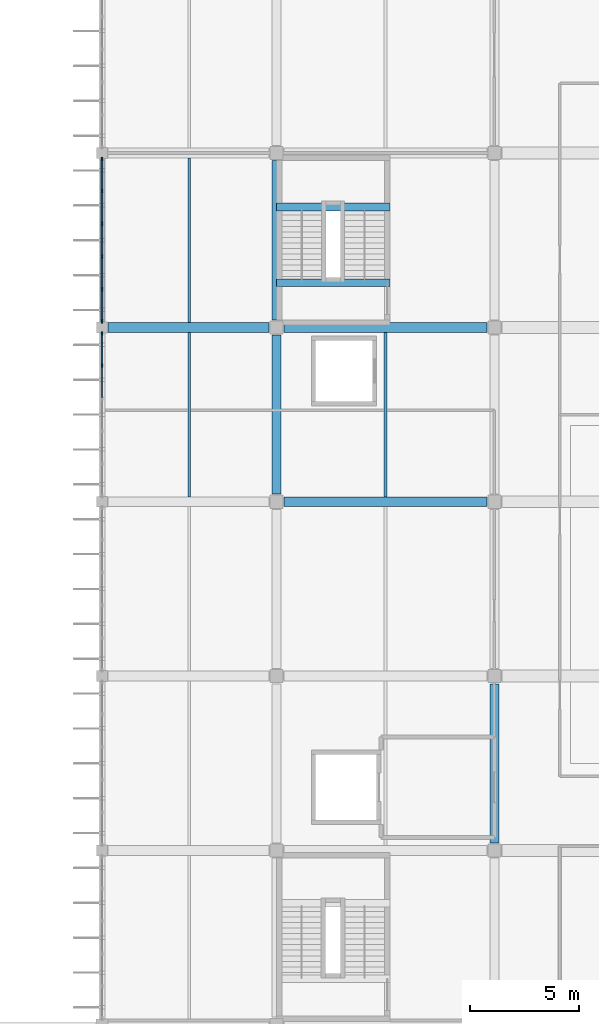
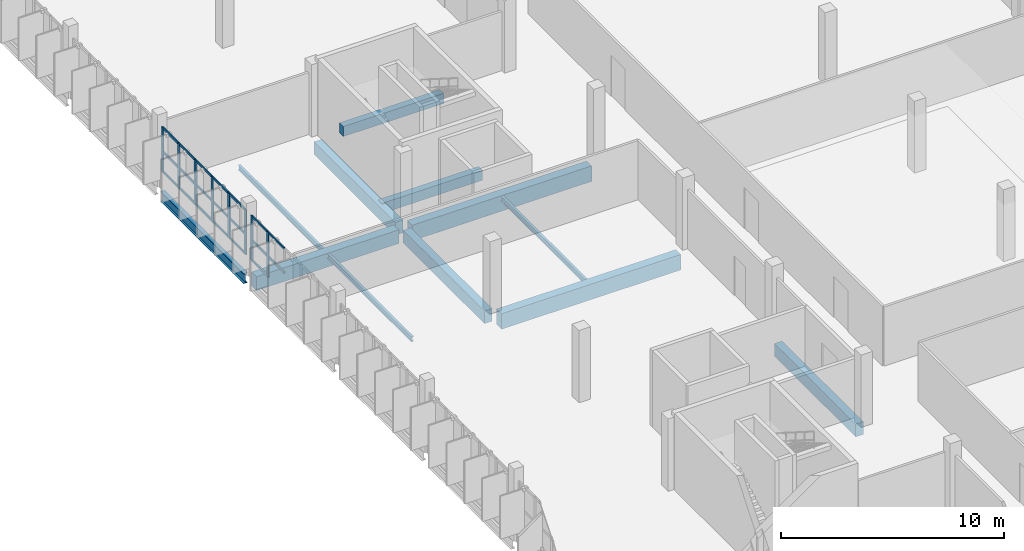
# One storey, part 30 of 66: 28 members, 12 beams, 2 elements without a shape of their own.
"""IFC4 building model written with IfcOpenShell, lengths in metres."""

from ifc_helpers import new_model, si_unit, direction, frame, origin, origin_2d, place, context, subcontext, project, spatial, rectangle, i_section, extrude, material, layer, layer_set, material_profile, profile_set, type_object, element, aggregate, save


model = new_model("IFC4")

# Units and contexts
model_context = context("Model", 3, precision=1e-05, world=origin(), true_north=direction((0.0, 1.0)))
body_context = subcontext(model_context, "Body", "Model", "MODEL_VIEW")
ifc_project = project(units=[si_unit("LENGTHUNIT", "METRE"), si_unit("AREAUNIT", "SQUARE_METRE"), si_unit("VOLUMEUNIT", "CUBIC_METRE"), si_unit("PLANEANGLEUNIT", "RADIAN"), si_unit("MASSUNIT", "GRAM", prefix="KILO")], contexts=[model_context])

# Site, building, storey
site_placement = place(None, origin())
site = spatial("IfcSite", under=ifc_project, at=site_placement, CompositionType="ELEMENT")
building_placement = place(site_placement, origin())
building = spatial("IfcBuilding", under=site, at=building_placement, Name="Drelvana Railside Aquatics Centre", CompositionType="ELEMENT")
storey_placement = place(building_placement, frame((0.0, 0.0, 10.199951171875)))
storey = spatial("IfcBuildingStorey", under=building, at=storey_placement, Name="L02", CompositionType="ELEMENT", Elevation=10.199951171875)

# Curtain wall, members
ifc_material_1 = material(Name="Bronze-anodised aluminium curtain wall", Category="aluminium")
ifc_layer = layer(ifc_material_1, 0.175048828125, Name="Bronze-anodised aluminium curtain wall")
ifc_layer_set = layer_set([ifc_layer], Name="Bronze-anodised aluminium curtain wall")
curtain_wall_type = type_object("IfcCurtainWallType", Name="CW-Z6-WING", PredefinedType="NOTDEFINED", material=ifc_layer_set)
curtain_wall_1_placement = place(storey_placement, origin())
curtain_wall_1 = element("IfcCurtainWall", 1, at=curtain_wall_1_placement, inside=storey, type_object=curtain_wall_type, Name="Curtain wall CW-06-150", PredefinedType="NOTDEFINED")
ifc_material_2 = material(Name="Bronze-anodised aluminium 6063-T6", Category="aluminium")
ifc_material_profile_1 = material_profile(ifc_material_2, rectangle(XDim=0.06494140625, YDim=0.175048828125, at=origin_2d()), Name="ALU-M 65x175")
ifc_profile_set_1 = profile_set([ifc_material_profile_1], Name="Bronze-anodised aluminium 6063-T6")
member_type_1 = type_object("IfcMemberType", Name="CW-Z6-WING-MUL", PredefinedType="MULLION", material=ifc_profile_set_1)
member_1_placement = place(storey_placement, frame((144.0, 54.253662109375, 0.7939453125), z_axis=(0.0, 0.0, 1.0), x_axis=(-1.0, 0.0, 0.0)))
member_1 = element("IfcMember", 2, at=member_1_placement, type_object=member_type_1, Name="CW-06 mullion 5", PredefinedType="MULLION", context=body_context, shape_type="SweptSolid", body=[
    extrude(rectangle(XDim=0.06494140625, YDim=0.175048828125, at=origin_2d()), origin(), (0.0, 0.0, 1.0), 2.4560546875),
])
member_2_placement = place(storey_placement, frame((144.0, 55.723388671875, 0.7939453125), z_axis=(0.0, 0.0, 1.0), x_axis=(-1.0, 0.0, 0.0)))
member_2 = element("IfcMember", 3, at=member_2_placement, type_object=member_type_1, Name="CW-06 mullion 6", PredefinedType="MULLION", context=body_context, shape_type="SweptSolid", body=[
    extrude(rectangle(XDim=0.06494140625, YDim=0.175048828125, at=origin_2d()), origin(), (0.0, 0.0, 1.0), 2.4560546875),
])

curtain_wall_2_placement = place(storey_placement, origin())
curtain_wall_2 = element("IfcCurtainWall", 4, at=curtain_wall_2_placement, inside=storey, type_object=curtain_wall_type, Name="Curtain wall CW-06-153", PredefinedType="NOTDEFINED")
member_3_placement = place(storey_placement, frame((144.0, 56.276611328125, 0.7939453125), z_axis=(0.0, 0.0, 1.0), x_axis=(-1.0, 0.0, 0.0)))
member_3 = element("IfcMember", 5, at=member_3_placement, type_object=member_type_1, Name="CW-06 mullion 1", PredefinedType="MULLION", context=body_context, shape_type="SweptSolid", body=[
    extrude(rectangle(XDim=0.06494140625, YDim=0.175048828125, at=origin_2d()), origin(), (0.0, 0.0, 1.0), 2.4560546875),
])
member_4_placement = place(storey_placement, frame((144.0, 57.746337890625, 0.7939453125), z_axis=(0.0, 0.0, 1.0), x_axis=(-1.0, 0.0, 0.0)))
member_4 = element("IfcMember", 6, at=member_4_placement, type_object=member_type_1, Name="CW-06 mullion 2", PredefinedType="MULLION", context=body_context, shape_type="SweptSolid", body=[
    extrude(rectangle(XDim=0.06494140625, YDim=0.175048828125, at=origin_2d()), origin(), (0.0, 0.0, 1.0), 2.4560546875),
])
member_5_placement = place(storey_placement, frame((144.0, 59.248779296875, 0.7939453125), z_axis=(0.0, 0.0, 1.0), x_axis=(-1.0, 0.0, 0.0)))
member_5 = element("IfcMember", 7, at=member_5_placement, type_object=member_type_1, Name="CW-06 mullion 3", PredefinedType="MULLION", context=body_context, shape_type="SweptSolid", body=[
    extrude(rectangle(XDim=0.06494140625, YDim=0.175048828125, at=origin_2d()), origin(), (0.0, 0.0, 1.0), 2.4560546875),
])
member_6_placement = place(storey_placement, frame((144.0, 60.751220703125, 0.7939453125), z_axis=(0.0, 0.0, 1.0), x_axis=(-1.0, 0.0, 0.0)))
member_6 = element("IfcMember", 8, at=member_6_placement, type_object=member_type_1, Name="CW-06 mullion 4", PredefinedType="MULLION", context=body_context, shape_type="SweptSolid", body=[
    extrude(rectangle(XDim=0.06494140625, YDim=0.175048828125, at=origin_2d()), origin(), (0.0, 0.0, 1.0), 2.4560546875),
])
member_7_placement = place(storey_placement, frame((144.0, 62.253662109375, 0.7939453125), z_axis=(0.0, 0.0, 1.0), x_axis=(-1.0, 0.0, 0.0)))
member_7 = element("IfcMember", 9, at=member_7_placement, type_object=member_type_1, Name="CW-06 mullion 5", PredefinedType="MULLION", context=body_context, shape_type="SweptSolid", body=[
    extrude(rectangle(XDim=0.06494140625, YDim=0.175048828125, at=origin_2d()), origin(), (0.0, 0.0, 1.0), 2.4560546875),
])
member_8_placement = place(storey_placement, frame((144.0, 63.723388671875, 0.7939453125), z_axis=(0.0, 0.0, 1.0), x_axis=(-1.0, 0.0, 0.0)))
member_8 = element("IfcMember", 10, at=member_8_placement, type_object=member_type_1, Name="CW-06 mullion 6", PredefinedType="MULLION", context=body_context, shape_type="SweptSolid", body=[
    extrude(rectangle(XDim=0.06494140625, YDim=0.175048828125, at=origin_2d()), origin(), (0.0, 0.0, 1.0), 2.4560546875),
])

# Member
ifc_material_profile_2 = material_profile(ifc_material_2, rectangle(XDim=0.1201171875, YDim=0.06005859375, at=origin_2d()), Name="ALU-T 60x120")
ifc_profile_set_2 = profile_set([ifc_material_profile_2], Name="Bronze-anodised aluminium 6063-T6")
member_type_2 = type_object("IfcMemberType", Name="CW-Z6-WING-TRN", PredefinedType="USERDEFINED", material=ifc_profile_set_2)
member_9_placement = place(storey_placement, frame((144.0, 52.77880859375, 1.899169921875), z_axis=(0.0, 1.0, 0.0), x_axis=(0.0, 0.0, 1.0)))
member_9 = element("IfcMember", 11, at=member_9_placement, type_object=member_type_2, Name="CW-06 transom 4.2", ObjectType="TRANSOM", PredefinedType="USERDEFINED", context=body_context, shape_type="SweptSolid", body=[
    extrude(rectangle(XDim=0.1201171875, YDim=0.06005859375, at=origin_2d()), origin(), (0.0, 0.0, 1.0), 1.447265625),
])

member_10_placement = place(storey_placement, frame((144.0, 52.77880859375, 3.219970703125), z_axis=(0.0, 1.0, 0.0), x_axis=(0.0, 0.0, 1.0)))
member_10 = element("IfcMember", 12, at=member_10_placement, type_object=member_type_2, Name="CW-06 transom 4.3", ObjectType="TRANSOM", PredefinedType="USERDEFINED", context=body_context, shape_type="SweptSolid", body=[
    extrude(rectangle(XDim=0.1201171875, YDim=0.06005859375, at=origin_2d()), origin(), (0.0, 0.0, 1.0), 1.447265625),
])

member_11_placement = place(storey_placement, frame((144.0, 54.281005859375, 0.823974609375), z_axis=(0.0, 1.0, 0.0), x_axis=(0.0, 0.0, 1.0)))
member_11 = element("IfcMember", 13, at=member_11_placement, type_object=member_type_2, Name="CW-06 transom 5.1", ObjectType="TRANSOM", PredefinedType="USERDEFINED", context=body_context, shape_type="SweptSolid", body=[
    extrude(rectangle(XDim=0.1201171875, YDim=0.06005859375, at=origin_2d()), origin(), (0.0, 0.0, 1.0), 1.4150390625),
])

member_12_placement = place(storey_placement, frame((144.0, 54.281005859375, 1.899169921875), z_axis=(0.0, 1.0, 0.0), x_axis=(0.0, 0.0, 1.0)))
member_12 = element("IfcMember", 14, at=member_12_placement, type_object=member_type_2, Name="CW-06 transom 5.2", ObjectType="TRANSOM", PredefinedType="USERDEFINED", context=body_context, shape_type="SweptSolid", body=[
    extrude(rectangle(XDim=0.1201171875, YDim=0.06005859375, at=origin_2d()), origin(), (0.0, 0.0, 1.0), 1.4150390625),
])

member_13_placement = place(storey_placement, frame((144.0, 54.281005859375, 3.219970703125), z_axis=(0.0, 1.0, 0.0), x_axis=(0.0, 0.0, 1.0)))
member_13 = element("IfcMember", 15, at=member_13_placement, type_object=member_type_2, Name="CW-06 transom 5.3", ObjectType="TRANSOM", PredefinedType="USERDEFINED", context=body_context, shape_type="SweptSolid", body=[
    extrude(rectangle(XDim=0.1201171875, YDim=0.06005859375, at=origin_2d()), origin(), (0.0, 0.0, 1.0), 1.4150390625),
])

aggregate(curtain_wall_1, [member_1, member_2, member_9, member_10, member_11, member_12, member_13])

member_14_placement = place(storey_placement, frame((144.0, 56.303955078125, 0.823974609375), z_axis=(0.0, 1.0, 0.0), x_axis=(0.0, 0.0, 1.0)))
member_14 = element("IfcMember", 16, at=member_14_placement, type_object=member_type_2, Name="CW-06 transom 1.1", ObjectType="TRANSOM", PredefinedType="USERDEFINED", context=body_context, shape_type="SweptSolid", body=[
    extrude(rectangle(XDim=0.1201171875, YDim=0.06005859375, at=origin_2d()), origin(), (0.0, 0.0, 1.0), 1.4150390625),
])

member_15_placement = place(storey_placement, frame((144.0, 56.303955078125, 1.899169921875), z_axis=(0.0, 1.0, 0.0), x_axis=(0.0, 0.0, 1.0)))
member_15 = element("IfcMember", 17, at=member_15_placement, type_object=member_type_2, Name="CW-06 transom 1.2", ObjectType="TRANSOM", PredefinedType="USERDEFINED", context=body_context, shape_type="SweptSolid", body=[
    extrude(rectangle(XDim=0.1201171875, YDim=0.06005859375, at=origin_2d()), origin(), (0.0, 0.0, 1.0), 1.4150390625),
])

member_16_placement = place(storey_placement, frame((144.0, 56.303955078125, 3.219970703125), z_axis=(0.0, 1.0, 0.0), x_axis=(0.0, 0.0, 1.0)))
member_16 = element("IfcMember", 18, at=member_16_placement, type_object=member_type_2, Name="CW-06 transom 1.3", ObjectType="TRANSOM", PredefinedType="USERDEFINED", context=body_context, shape_type="SweptSolid", body=[
    extrude(rectangle(XDim=0.1201171875, YDim=0.06005859375, at=origin_2d()), origin(), (0.0, 0.0, 1.0), 1.4150390625),
])

member_17_placement = place(storey_placement, frame((144.0, 57.77392578125, 0.823974609375), z_axis=(0.0, 1.0, 0.0), x_axis=(0.0, 0.0, 1.0)))
member_17 = element("IfcMember", 19, at=member_17_placement, type_object=member_type_2, Name="CW-06 transom 2.1", ObjectType="TRANSOM", PredefinedType="USERDEFINED", context=body_context, shape_type="SweptSolid", body=[
    extrude(rectangle(XDim=0.1201171875, YDim=0.06005859375, at=origin_2d()), origin(), (0.0, 0.0, 1.0), 1.447265625),
])

member_18_placement = place(storey_placement, frame((144.0, 57.77392578125, 1.899169921875), z_axis=(0.0, 1.0, 0.0), x_axis=(0.0, 0.0, 1.0)))
member_18 = element("IfcMember", 20, at=member_18_placement, type_object=member_type_2, Name="CW-06 transom 2.2", ObjectType="TRANSOM", PredefinedType="USERDEFINED", context=body_context, shape_type="SweptSolid", body=[
    extrude(rectangle(XDim=0.1201171875, YDim=0.06005859375, at=origin_2d()), origin(), (0.0, 0.0, 1.0), 1.447265625),
])

member_19_placement = place(storey_placement, frame((144.0, 57.77392578125, 3.219970703125), z_axis=(0.0, 1.0, 0.0), x_axis=(0.0, 0.0, 1.0)))
member_19 = element("IfcMember", 21, at=member_19_placement, type_object=member_type_2, Name="CW-06 transom 2.3", ObjectType="TRANSOM", PredefinedType="USERDEFINED", context=body_context, shape_type="SweptSolid", body=[
    extrude(rectangle(XDim=0.1201171875, YDim=0.06005859375, at=origin_2d()), origin(), (0.0, 0.0, 1.0), 1.447265625),
])

member_20_placement = place(storey_placement, frame((144.0, 59.2763671875, 0.823974609375), z_axis=(0.0, 1.0, 0.0), x_axis=(0.0, 0.0, 1.0)))
member_20 = element("IfcMember", 22, at=member_20_placement, type_object=member_type_2, Name="CW-06 transom 3.1", ObjectType="TRANSOM", PredefinedType="USERDEFINED", context=body_context, shape_type="SweptSolid", body=[
    extrude(rectangle(XDim=0.1201171875, YDim=0.06005859375, at=origin_2d()), origin(), (0.0, 0.0, 1.0), 1.447265625),
])

member_21_placement = place(storey_placement, frame((144.0, 59.2763671875, 1.899169921875), z_axis=(0.0, 1.0, 0.0), x_axis=(0.0, 0.0, 1.0)))
member_21 = element("IfcMember", 23, at=member_21_placement, type_object=member_type_2, Name="CW-06 transom 3.2", ObjectType="TRANSOM", PredefinedType="USERDEFINED", context=body_context, shape_type="SweptSolid", body=[
    extrude(rectangle(XDim=0.1201171875, YDim=0.06005859375, at=origin_2d()), origin(), (0.0, 0.0, 1.0), 1.447265625),
])

member_22_placement = place(storey_placement, frame((144.0, 59.2763671875, 3.219970703125), z_axis=(0.0, 1.0, 0.0), x_axis=(0.0, 0.0, 1.0)))
member_22 = element("IfcMember", 24, at=member_22_placement, type_object=member_type_2, Name="CW-06 transom 3.3", ObjectType="TRANSOM", PredefinedType="USERDEFINED", context=body_context, shape_type="SweptSolid", body=[
    extrude(rectangle(XDim=0.1201171875, YDim=0.06005859375, at=origin_2d()), origin(), (0.0, 0.0, 1.0), 1.447265625),
])

member_23_placement = place(storey_placement, frame((144.0, 60.77880859375, 0.823974609375), z_axis=(0.0, 1.0, 0.0), x_axis=(0.0, 0.0, 1.0)))
member_23 = element("IfcMember", 25, at=member_23_placement, type_object=member_type_2, Name="CW-06 transom 4.1", ObjectType="TRANSOM", PredefinedType="USERDEFINED", context=body_context, shape_type="SweptSolid", body=[
    extrude(rectangle(XDim=0.1201171875, YDim=0.06005859375, at=origin_2d()), origin(), (0.0, 0.0, 1.0), 1.447265625),
])

member_24_placement = place(storey_placement, frame((144.0, 60.77880859375, 1.899169921875), z_axis=(0.0, 1.0, 0.0), x_axis=(0.0, 0.0, 1.0)))
member_24 = element("IfcMember", 26, at=member_24_placement, type_object=member_type_2, Name="CW-06 transom 4.2", ObjectType="TRANSOM", PredefinedType="USERDEFINED", context=body_context, shape_type="SweptSolid", body=[
    extrude(rectangle(XDim=0.1201171875, YDim=0.06005859375, at=origin_2d()), origin(), (0.0, 0.0, 1.0), 1.447265625),
])

member_25_placement = place(storey_placement, frame((144.0, 60.77880859375, 3.219970703125), z_axis=(0.0, 1.0, 0.0), x_axis=(0.0, 0.0, 1.0)))
member_25 = element("IfcMember", 27, at=member_25_placement, type_object=member_type_2, Name="CW-06 transom 4.3", ObjectType="TRANSOM", PredefinedType="USERDEFINED", context=body_context, shape_type="SweptSolid", body=[
    extrude(rectangle(XDim=0.1201171875, YDim=0.06005859375, at=origin_2d()), origin(), (0.0, 0.0, 1.0), 1.447265625),
])

member_26_placement = place(storey_placement, frame((144.0, 62.281005859375, 0.823974609375), z_axis=(0.0, 1.0, 0.0), x_axis=(0.0, 0.0, 1.0)))
member_26 = element("IfcMember", 28, at=member_26_placement, type_object=member_type_2, Name="CW-06 transom 5.1", ObjectType="TRANSOM", PredefinedType="USERDEFINED", context=body_context, shape_type="SweptSolid", body=[
    extrude(rectangle(XDim=0.1201171875, YDim=0.06005859375, at=origin_2d()), origin(), (0.0, 0.0, 1.0), 1.4150390625),
])

member_27_placement = place(storey_placement, frame((144.0, 62.281005859375, 1.899169921875), z_axis=(0.0, 1.0, 0.0), x_axis=(0.0, 0.0, 1.0)))
member_27 = element("IfcMember", 29, at=member_27_placement, type_object=member_type_2, Name="CW-06 transom 5.2", ObjectType="TRANSOM", PredefinedType="USERDEFINED", context=body_context, shape_type="SweptSolid", body=[
    extrude(rectangle(XDim=0.1201171875, YDim=0.06005859375, at=origin_2d()), origin(), (0.0, 0.0, 1.0), 1.4150390625),
])

member_28_placement = place(storey_placement, frame((144.0, 62.281005859375, 3.219970703125), z_axis=(0.0, 1.0, 0.0), x_axis=(0.0, 0.0, 1.0)))
member_28 = element("IfcMember", 30, at=member_28_placement, type_object=member_type_2, Name="CW-06 transom 5.3", ObjectType="TRANSOM", PredefinedType="USERDEFINED", context=body_context, shape_type="SweptSolid", body=[
    extrude(rectangle(XDim=0.1201171875, YDim=0.06005859375, at=origin_2d()), origin(), (0.0, 0.0, 1.0), 1.4150390625),
])

aggregate(curtain_wall_2, [member_3, member_4, member_5, member_6, member_7, member_8, member_14, member_15, member_16, member_17, member_18, member_19, member_20, member_21, member_22, member_23, member_24, member_25, member_26, member_27, member_28])

# Beams
ifc_material_3 = material(Name="Concrete C40/50", Category="concrete")
ifc_material_profile_3 = material_profile(ifc_material_3, rectangle(XDim=0.35009765625, YDim=0.550048828125, at=origin_2d()), Name="RC 350x550")
ifc_profile_set_3 = profile_set([ifc_material_profile_3], Name="Concrete C40/50")
beam_type_1 = type_object("IfcBeamType", Name="STR-BM-BM-01-RC-350x550", PredefinedType="BEAM", material=ifc_profile_set_3)
for number, where, z_axis, x_axis, name in (
    (31, (152.0, 58.050048828125, -0.474853515625), (1.0, 0.0, 0.0), (0.0, 1.0, 0.0), "Stair ST-08 L02 landing beam"),
    (32, (152.0, 61.52490234375, 1.625), (1.0, 0.0, 0.0), (0.0, 1.0, 0.0), "Stair ST-08 L02 mid-landing beam"),
):
    element("IfcBeam", number, at=place(storey_placement, frame(where, z_axis=z_axis, x_axis=x_axis)), inside=storey, type_object=beam_type_1, Name=name, PredefinedType="BEAM", context=body_context, shape_type="SweptSolid", body=[
        extrude(rectangle(XDim=0.35009765625, YDim=0.550048828125, at=origin_2d()), origin(), (0.0, 0.0, 1.0), 5.199951171875),
    ])
ifc_material_profile_4 = material_profile(ifc_material_3, rectangle(XDim=0.39990234375, YDim=0.699951171875, at=origin_2d()), Name="RC 400x700")
ifc_profile_set_4 = profile_set([ifc_material_profile_4], Name="Concrete C40/50")
beam_type_2 = type_object("IfcBeamType", Name="STR-BM-BM-03-RC-400x700", PredefinedType="BEAM", material=ifc_profile_set_4)
for number, where, z_axis, x_axis, name in (
    (33, (152.0, 48.35009765625, -0.599853515625), (0.0, 1.0, 0.0), (-1.0, 0.0, 0.0), "Girder BM-03 (L02)"),
    (34, (152.0, 56.35009765625, -0.599853515625), (0.0, 1.0, 0.0), (-1.0, 0.0, 0.0), "Girder BM-03 (L02)"),
    (35, (162.0, 32.35009765625, -0.599853515625), (0.0, 1.0, 0.0), (-1.0, 0.0, 0.0), "Girder BM-03 (L02)"),
):
    element("IfcBeam", number, at=place(storey_placement, frame(where, z_axis=z_axis, x_axis=x_axis)), inside=storey, type_object=beam_type_2, Name=name, PredefinedType="BEAM", context=body_context, shape_type="SweptSolid", body=[
        extrude(rectangle(XDim=0.39990234375, YDim=0.699951171875, at=origin_2d()), origin(), (0.0, 0.0, 1.0), 7.2998046875),
    ])
ifc_material_profile_5 = material_profile(ifc_material_3, rectangle(XDim=0.449951171875, YDim=0.75, at=origin_2d()), Name="RC 450x750")
ifc_profile_set_5 = profile_set([ifc_material_profile_5], Name="Concrete C40/50")
beam_type_3 = type_object("IfcBeamType", Name="STR-BM-BM-04-RC-450x750", PredefinedType="BEAM", material=ifc_profile_set_5)
beam_1_placement = place(storey_placement, frame((144.27490234375, 56.0, -0.625), z_axis=(1.0, 0.0, 0.0), x_axis=(0.0, 1.0, 0.0)))
element("IfcBeam", 36, at=beam_1_placement, inside=storey, type_object=beam_type_3, Name="Girder BM-04 (L02)", PredefinedType="BEAM", context=body_context, shape_type="SweptSolid", body=[
    extrude(rectangle(XDim=0.449951171875, YDim=0.75, at=origin_2d()), origin(), (0.0, 0.0, 1.0), 7.375),
])
ifc_material_profile_6 = material_profile(ifc_material_3, rectangle(XDim=0.449951171875, YDim=0.85009765625, at=origin_2d()), Name="RC 450x850")
ifc_profile_set_6 = profile_set([ifc_material_profile_6], Name="Concrete C40/50")
beam_type_4 = type_object("IfcBeamType", Name="STR-BM-BM-05-RC-450x850", PredefinedType="BEAM", material=ifc_profile_set_6)
for number, where, z_axis, x_axis, name in (
    (37, (152.35009765625, 48.0, -0.675048828125), (1.0, 0.0, 0.0), (0.0, 1.0, 0.0), "Girder BM-05 (L02)"),
    (38, (152.35009765625, 56.0, -0.675048828125), (1.0, 0.0, 0.0), (0.0, 1.0, 0.0), "Girder BM-05 (L02)"),
):
    element("IfcBeam", number, at=place(storey_placement, frame(where, z_axis=z_axis, x_axis=x_axis)), inside=storey, type_object=beam_type_4, Name=name, PredefinedType="BEAM", context=body_context, shape_type="SweptSolid", body=[
        extrude(rectangle(XDim=0.449951171875, YDim=0.85009765625, at=origin_2d()), origin(), (0.0, 0.0, 1.0), 9.2998046875),
    ])
ifc_material_4 = material(Name="Structural steel S355", Category="steel")
ifc_material_profile_7 = material_profile(ifc_material_4, i_section(OverallWidth=0.2099609375, OverallDepth=0.550048828125, WebThickness=0.010986328125, FlangeThickness=0.01708984375, at=origin_2d()), Name="IPE 550")
ifc_profile_set_7 = profile_set([ifc_material_profile_7], Name="Structural steel S355")
beam_type_5 = type_object("IfcBeamType", Name="STR-SBM-SB-04-IPE-550", PredefinedType="SPANDREL", material=ifc_profile_set_7)
beam_2_placement = place(storey_placement, frame((144.0, 56.27490234375, -0.52490234375), z_axis=(0.0, 1.0, 0.0), x_axis=(-1.0, 0.0, 0.0)))
element("IfcBeam", 39, at=beam_2_placement, inside=storey, type_object=beam_type_5, Name="Girder SB-04 (L02)", PredefinedType="SPANDREL", context=body_context, shape_type="SweptSolid", body=[
    extrude(i_section(OverallWidth=0.2099609375, OverallDepth=0.550048828125, WebThickness=0.010986328125, FlangeThickness=0.01708984375, at=origin_2d()), origin(), (0.0, 0.0, 1.0), 7.4501953125),
])
ifc_material_profile_8 = material_profile(ifc_material_4, i_section(OverallWidth=0.135009765625, OverallDepth=0.27001953125, WebThickness=0.006591796875, FlangeThickness=0.01025390625, at=origin_2d()), Name="IPE 270")
ifc_profile_set_8 = profile_set([ifc_material_profile_8], Name="Structural steel S355")
beam_type_6 = type_object("IfcBeamType", Name="STR-SBM-SJ-02-IPE-270", PredefinedType="JOIST", material=ifc_profile_set_8)
for number, where, z_axis, x_axis, name in (
    (40, (148.0, 48.22509765625, -0.385009765625), (0.0, 1.0, 0.0), (-1.0, 0.0, 0.0), "Secondary floor joist SJ-02 (L02)"),
    (41, (148.0, 56.22509765625, -0.385009765625), (0.0, 1.0, 0.0), (-1.0, 0.0, 0.0), "Secondary floor joist SJ-02 (L02)"),
    (42, (157.0, 48.22509765625, -0.385009765625), (0.0, 1.0, 0.0), (-1.0, 0.0, 0.0), "Secondary floor joist SJ-02 (L02)"),
):
    element("IfcBeam", number, at=place(storey_placement, frame(where, z_axis=z_axis, x_axis=x_axis)), inside=storey, type_object=beam_type_6, Name=name, PredefinedType="JOIST", context=body_context, shape_type="SweptSolid", body=[
        extrude(i_section(OverallWidth=0.135009765625, OverallDepth=0.27001953125, WebThickness=0.006591796875, FlangeThickness=0.01025390625, at=origin_2d()), origin(), (0.0, 0.0, 1.0), 7.5498046875),
    ])

save(model, "model.ifc")
